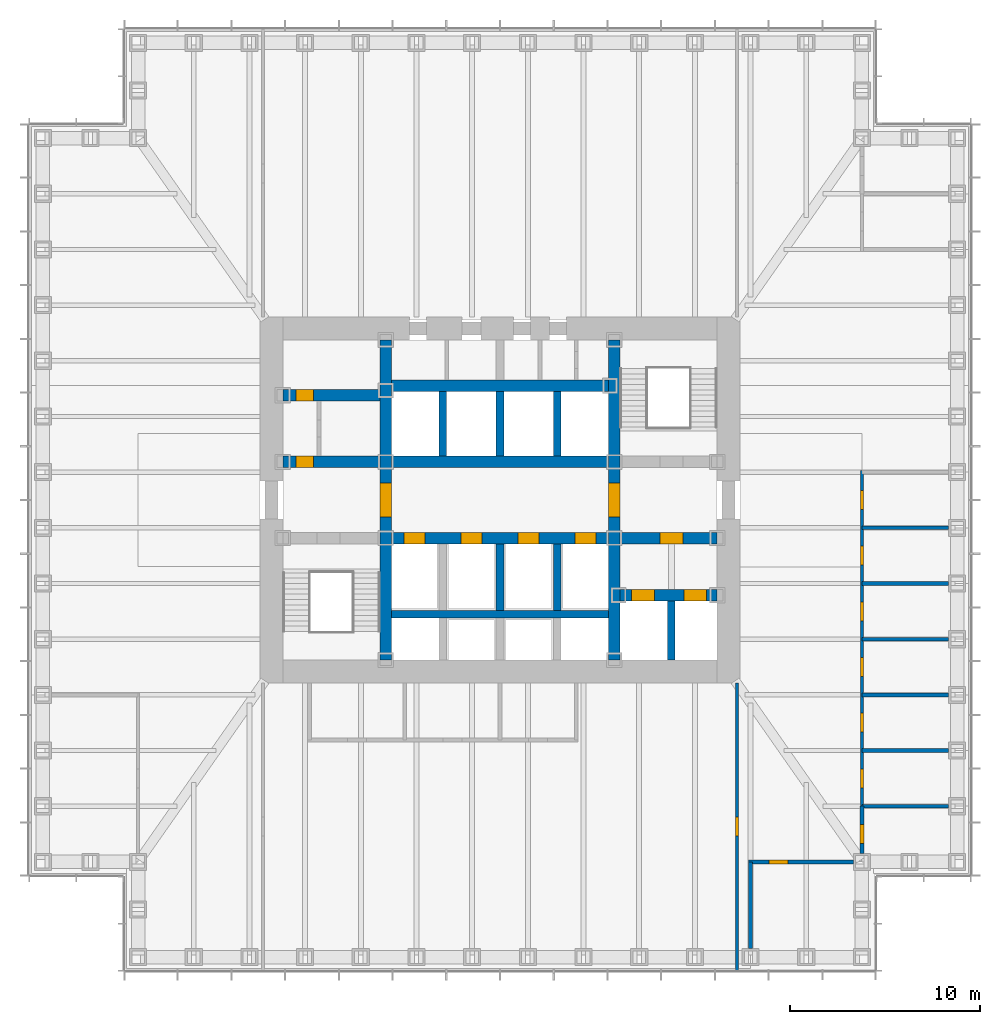
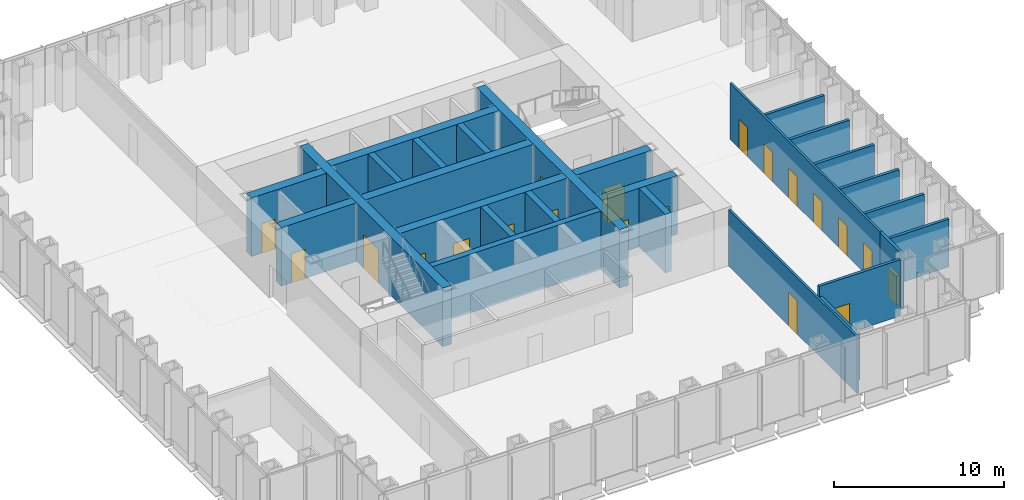
# One storey, part 9 of 16: 27 walls, 20 doors, 20 openings.
"""IFC4 building model written with IfcOpenShell, lengths in metres."""

from ifc_helpers import new_model, si_unit, direction, frame, frame_2d, origin, place, context, subcontext, project, spatial, rectangle, extrude, material, layer, layer_set, type_object, element, fill, save


model = new_model("IFC4")

# Units and contexts
model_context = context("Model", 3, precision=1e-05, world=origin(), true_north=direction((0.0, 1.0)))
body_context = subcontext(model_context, "Body", "Model", "MODEL_VIEW")
ifc_project = project(units=[si_unit("LENGTHUNIT", "METRE"), si_unit("AREAUNIT", "SQUARE_METRE"), si_unit("VOLUMEUNIT", "CUBIC_METRE"), si_unit("PLANEANGLEUNIT", "RADIAN"), si_unit("MASSUNIT", "GRAM", prefix="KILO")], contexts=[model_context])

# Site, building, storey
site_placement = place(None, origin())
site = spatial("IfcSite", under=ifc_project, at=site_placement, CompositionType="ELEMENT")
building_placement = place(site_placement, origin())
building = spatial("IfcBuilding", under=site, at=building_placement, Name="Daluyong Arena Tower", CompositionType="ELEMENT")
storey_placement = place(building_placement, frame((0.0, 0.0, 72.699951171875)))
storey = spatial("IfcBuildingStorey", under=building, at=storey_placement, Name="L15", CompositionType="ELEMENT", Elevation=72.699951171875)

# Wall, opening, door
ifc_material_1 = material(Name="Concrete fc' 60 MPa", Category="concrete")
ifc_layer_1 = layer(ifc_material_1, 0.60009765625)
ifc_layer_set_1 = layer_set([ifc_layer_1], Name="Concrete fc' 60 MPa")
wall_type_1 = type_object("IfcWallType", Name="Core inner wall 600", PredefinedType="SHEAR", material=ifc_layer_set_1)
wall_1_placement = place(storey_placement, frame((50.0, 71.60009765625, 0.0), z_axis=(0.0, 0.0, 1.0), x_axis=(0.0, 1.0, 0.0)))
wall_1 = element("IfcWall", 1, at=wall_1_placement, inside=storey, type_object=wall_type_1, Name="core inner wall at L15", PredefinedType="SHEAR", context=body_context, shape_type="SweptSolid", body=[
    extrude(rectangle(XDim=16.7998046875, YDim=0.60009765625, at=frame_2d((8.39990234375, 0.0))), origin(), (0.0, 0.0, 1.0), 4.199951171875),
])
opening_1_placement = place(wall_1_placement, frame((7.5, 0.0, 0.0)))
opening_1 = element("IfcOpeningElement", 2, at=opening_1_placement, cuts=wall_1, Name="Opening 15013", PredefinedType="OPENING", context=body_context, shape_type="SweptSolid", body=[
    extrude(rectangle(XDim=1.800048828125, YDim=2.39990234375, at=frame_2d((0.89990234375, 1.199951171875))), frame((0.0, 0.31005859375, 0.0), z_axis=(0.0, -1.0, 0.0), x_axis=(1.0, 0.0, 0.0)), (0.0, 0.0, 1.0), 0.6201171875),
])
ifc_material_2 = material(Name="Steel door, fire rated", Category="steel")
door_type_1 = type_object("IfcDoorType", Name="Lift lobby opening door 1800", OperationType="DOUBLE_DOOR_SINGLE_SWING", PredefinedType="DOOR", material=ifc_material_2)
door_1_placement = place(opening_1_placement, origin())
door_1 = element("IfcDoor", 3, at=door_1_placement, inside=storey, type_object=door_type_1, Name="lift lobby door west 15013", OperationType="DOUBLE_DOOR_SINGLE_SWING", OverallHeight=2.39990234375, OverallWidth=1.800048828125, PredefinedType="DOOR", context=body_context, shape_type="SweptSolid", body=[
    extrude(rectangle(XDim=1.800048828125, YDim=2.39990234375, at=frame_2d((0.89990234375, 1.199951171875))), frame((0.0, 0.2998046875, 0.0), z_axis=(0.0, -1.0, 0.0), x_axis=(1.0, 0.0, 0.0)), (0.0, 0.0, 1.0), 0.599609375),
])
fill(opening_1, door_1)

wall_2_placement = place(storey_placement, frame((62.0, 71.60009765625, 0.0), z_axis=(0.0, 0.0, 1.0), x_axis=(0.0, 1.0, 0.0)))
wall_2 = element("IfcWall", 4, at=wall_2_placement, inside=storey, type_object=wall_type_1, Name="core inner wall at L15", PredefinedType="SHEAR", context=body_context, shape_type="SweptSolid", body=[
    extrude(rectangle(XDim=16.7998046875, YDim=0.60009765625, at=frame_2d((8.39990234375, 0.0))), origin(), (0.0, 0.0, 1.0), 4.199951171875),
])
opening_2_placement = place(wall_2_placement, frame((7.5, 0.0, 0.0)))
opening_2 = element("IfcOpeningElement", 5, at=opening_2_placement, cuts=wall_2, Name="Opening 15014", PredefinedType="OPENING", context=body_context, shape_type="SweptSolid", body=[
    extrude(rectangle(XDim=1.800048828125, YDim=2.39990234375, at=frame_2d((0.89990234375, 1.199951171875))), frame((0.0, 0.31005859375, 0.0), z_axis=(0.0, -1.0, 0.0), x_axis=(1.0, 0.0, 0.0)), (0.0, 0.0, 1.0), 0.6201171875),
])
door_2_placement = place(opening_2_placement, origin())
door_2 = element("IfcDoor", 6, at=door_2_placement, inside=storey, type_object=door_type_1, Name="lift lobby door east 15014", OperationType="DOUBLE_DOOR_SINGLE_SWING", OverallHeight=2.39990234375, OverallWidth=1.800048828125, PredefinedType="DOOR", context=body_context, shape_type="SweptSolid", body=[
    extrude(rectangle(XDim=1.800048828125, YDim=2.39990234375, at=frame_2d((0.89990234375, 1.199951171875))), frame((0.0, 0.2998046875, 0.0), z_axis=(0.0, -1.0, 0.0), x_axis=(1.0, 0.0, 0.0)), (0.0, 0.0, 1.0), 0.599609375),
])
fill(opening_2, door_2)

wall_3_placement = place(storey_placement, frame((44.60009765625, 82.0, 0.0), z_axis=(0.0, 0.0, 1.0), x_axis=(1.0, 0.0, 0.0)))
wall_3 = element("IfcWall", 7, at=wall_3_placement, inside=storey, type_object=wall_type_1, Name="core inner wall at L15", PredefinedType="SHEAR", context=body_context, shape_type="SweptSolid", body=[
    extrude(rectangle(XDim=5.099853515625, YDim=0.60009765625, at=frame_2d((2.5498046875, 0.0))), origin(), (0.0, 0.0, 1.0), 4.199951171875),
])
opening_3_placement = place(wall_3_placement, frame((0.699951171875, 0.0, 0.0)))
opening_3 = element("IfcOpeningElement", 8, at=opening_3_placement, cuts=wall_3, Name="Opening 15001", PredefinedType="OPENING", context=body_context, shape_type="SweptSolid", body=[
    extrude(rectangle(XDim=0.89990234375, YDim=2.10009765625, at=frame_2d((0.449951171875, 1.050048828125))), frame((0.0, 0.31005859375, 0.0), z_axis=(0.0, -1.0, 0.0), x_axis=(1.0, 0.0, 0.0)), (0.0, 0.0, 1.0), 0.6201171875),
])
ifc_material_3 = material(Name="Steel door, fire rated", Category="steel")
door_type_2 = type_object("IfcDoorType", Name="Core room door 900", OperationType="SINGLE_SWING_LEFT", PredefinedType="DOOR", material=ifc_material_3)
door_3_placement = place(opening_3_placement, origin())
door_3 = element("IfcDoor", 9, at=door_3_placement, inside=storey, type_object=door_type_2, Name="toilet lobby door 15001", OperationType="SINGLE_SWING_LEFT", OverallHeight=2.10009765625, OverallWidth=0.89990234375, PredefinedType="DOOR", context=body_context, shape_type="SweptSolid", body=[
    extrude(rectangle(XDim=0.89990234375, YDim=2.10009765625, at=frame_2d((0.449951171875, 1.050048828125))), frame((0.0, 0.2998046875, 0.0), z_axis=(0.0, -1.0, 0.0), x_axis=(1.0, 0.0, 0.0)), (0.0, 0.0, 1.0), 0.599609375),
])
fill(opening_3, door_3)

wall_4_placement = place(storey_placement, frame((44.60009765625, 85.5, 0.0), z_axis=(0.0, 0.0, 1.0), x_axis=(1.0, 0.0, 0.0)))
wall_4 = element("IfcWall", 10, at=wall_4_placement, inside=storey, type_object=wall_type_1, Name="core inner wall at L15", PredefinedType="SHEAR", context=body_context, shape_type="SweptSolid", body=[
    extrude(rectangle(XDim=5.099853515625, YDim=0.60009765625, at=frame_2d((2.5498046875, 0.0))), origin(), (0.0, 0.0, 1.0), 4.199951171875),
])
opening_4_placement = place(wall_4_placement, frame((0.699951171875, 0.0, 0.0)))
opening_4 = element("IfcOpeningElement", 11, at=opening_4_placement, cuts=wall_4, Name="Opening 15003", PredefinedType="OPENING", context=body_context, shape_type="SweptSolid", body=[
    extrude(rectangle(XDim=0.89990234375, YDim=2.10009765625, at=frame_2d((0.449951171875, 1.050048828125))), frame((0.0, 0.31005859375, 0.0), z_axis=(0.0, -1.0, 0.0), x_axis=(1.0, 0.0, 0.0)), (0.0, 0.0, 1.0), 0.6201171875),
])
ifc_material_4 = material(Name="Timber door", Category="wood")
door_type_3 = type_object("IfcDoorType", Name="Toilet door 900", OperationType="SINGLE_SWING_RIGHT", PredefinedType="DOOR", material=ifc_material_4)
door_4_placement = place(opening_4_placement, origin())
door_4 = element("IfcDoor", 12, at=door_4_placement, inside=storey, type_object=door_type_3, Name="female toilet door 15003", OperationType="SINGLE_SWING_RIGHT", OverallHeight=2.10009765625, OverallWidth=0.89990234375, PredefinedType="DOOR", context=body_context, shape_type="SweptSolid", body=[
    extrude(rectangle(XDim=0.89990234375, YDim=2.10009765625, at=frame_2d((0.449951171875, 1.050048828125))), frame((0.0, 0.2998046875, 0.0), z_axis=(0.0, -1.0, 0.0), x_axis=(1.0, 0.0, 0.0)), (0.0, 0.0, 1.0), 0.599609375),
])
fill(opening_4, door_4)

# Wall, openings, doors
wall_5_placement = place(storey_placement, frame((62.300048828125, 75.0, 0.0), z_axis=(0.0, 0.0, 1.0), x_axis=(1.0, 0.0, 0.0)))
wall_5 = element("IfcWall", 13, at=wall_5_placement, inside=storey, type_object=wall_type_1, Name="core inner wall at L15", PredefinedType="SHEAR", context=body_context, shape_type="SweptSolid", body=[
    extrude(rectangle(XDim=5.099853515625, YDim=0.60009765625, at=frame_2d((2.5498046875, 0.0))), origin(), (0.0, 0.0, 1.0), 4.199951171875),
])
opening_5_placement = place(wall_5_placement, frame((0.60009765625, 0.0, 0.0)))
opening_5 = element("IfcOpeningElement", 14, at=opening_5_placement, cuts=wall_5, Name="Opening 15020", PredefinedType="OPENING", context=body_context, shape_type="SweptSolid", body=[
    extrude(rectangle(XDim=1.199951171875, YDim=2.199951171875, at=frame_2d((0.60009765625, 1.10009765625))), frame((0.0, 0.31005859375, 0.0), z_axis=(0.0, -1.0, 0.0), x_axis=(1.0, 0.0, 0.0)), (0.0, 0.0, 1.0), 0.6201171875),
])
opening_6_placement = place(wall_5_placement, frame((3.35009765625, 0.0, 0.0)))
opening_6 = element("IfcOpeningElement", 15, at=opening_6_placement, cuts=wall_5, Name="Opening 15021", PredefinedType="OPENING", context=body_context, shape_type="SweptSolid", body=[
    extrude(rectangle(XDim=1.199951171875, YDim=2.199951171875, at=frame_2d((0.60009765625, 1.10009765625))), frame((0.0, 0.31005859375, 0.0), z_axis=(0.0, -1.0, 0.0), x_axis=(1.0, 0.0, 0.0)), (0.0, 0.0, 1.0), 0.6201171875),
])
ifc_material_5 = material(Name="Steel door, fire rated", Category="steel")
door_type_4 = type_object("IfcDoorType", Name="Firefighting lift landing door 1200", OperationType="SLIDING_TO_LEFT", PredefinedType="DOOR", material=ifc_material_5)
door_5_placement = place(opening_5_placement, origin())
door_5 = element("IfcDoor", 16, at=door_5_placement, inside=storey, type_object=door_type_4, Name="firefighting lift landing door F1 15020", OperationType="SLIDING_TO_LEFT", OverallHeight=2.199951171875, OverallWidth=1.199951171875, PredefinedType="DOOR", context=body_context, shape_type="SweptSolid", body=[
    extrude(rectangle(XDim=1.199951171875, YDim=2.199951171875, at=frame_2d((0.60009765625, 1.10009765625))), frame((0.0, 0.2998046875, 0.0), z_axis=(0.0, -1.0, 0.0), x_axis=(1.0, 0.0, 0.0)), (0.0, 0.0, 1.0), 0.599609375),
])
fill(opening_5, door_5)
door_6_placement = place(opening_6_placement, origin())
door_6 = element("IfcDoor", 17, at=door_6_placement, inside=storey, type_object=door_type_4, Name="firefighting lift landing door F2 15021", OperationType="SLIDING_TO_LEFT", OverallHeight=2.199951171875, OverallWidth=1.199951171875, PredefinedType="DOOR", context=body_context, shape_type="SweptSolid", body=[
    extrude(rectangle(XDim=1.199951171875, YDim=2.199951171875, at=frame_2d((0.60009765625, 1.10009765625))), frame((0.0, 0.2998046875, 0.0), z_axis=(0.0, -1.0, 0.0), x_axis=(1.0, 0.0, 0.0)), (0.0, 0.0, 1.0), 0.599609375),
])
fill(opening_6, door_6)

# Wall, opening, door
wall_6_placement = place(storey_placement, frame((62.300048828125, 78.0, 0.0), z_axis=(0.0, 0.0, 1.0), x_axis=(1.0, 0.0, 0.0)))
wall_6 = element("IfcWall", 18, at=wall_6_placement, inside=storey, type_object=wall_type_1, Name="core inner wall at L15", PredefinedType="SHEAR", context=body_context, shape_type="SweptSolid", body=[
    extrude(rectangle(XDim=5.099853515625, YDim=0.60009765625, at=frame_2d((2.5498046875, 0.0))), origin(), (0.0, 0.0, 1.0), 4.199951171875),
])
opening_7_placement = place(wall_6_placement, frame((2.10009765625, 0.0, 0.0)))
opening_7 = element("IfcOpeningElement", 19, at=opening_7_placement, cuts=wall_6, Name="Opening 15015", PredefinedType="OPENING", context=body_context, shape_type="SweptSolid", body=[
    extrude(rectangle(XDim=1.199951171875, YDim=2.10009765625, at=frame_2d((0.60009765625, 1.050048828125))), frame((0.0, 0.31005859375, 0.0), z_axis=(0.0, -1.0, 0.0), x_axis=(1.0, 0.0, 0.0)), (0.0, 0.0, 1.0), 0.6201171875),
])
ifc_material_6 = material(Name="Steel door, fire rated", Category="steel")
door_type_5 = type_object("IfcDoorType", Name="Firefighting lobby door 1200", OperationType="SINGLE_SWING_RIGHT", PredefinedType="DOOR", material=ifc_material_6)
door_7_placement = place(opening_7_placement, origin())
door_7 = element("IfcDoor", 20, at=door_7_placement, inside=storey, type_object=door_type_5, Name="firefighting lobby door 15015", OperationType="SINGLE_SWING_RIGHT", OverallHeight=2.10009765625, OverallWidth=1.199951171875, PredefinedType="DOOR", context=body_context, shape_type="SweptSolid", body=[
    extrude(rectangle(XDim=1.199951171875, YDim=2.10009765625, at=frame_2d((0.60009765625, 1.050048828125))), frame((0.0, 0.2998046875, 0.0), z_axis=(0.0, -1.0, 0.0), x_axis=(1.0, 0.0, 0.0)), (0.0, 0.0, 1.0), 0.599609375),
])
fill(opening_7, door_7)

# Wall, openings, doors
wall_7_placement = place(storey_placement, frame((50.300048828125, 78.0, 0.0), z_axis=(0.0, 0.0, 1.0), x_axis=(1.0, 0.0, 0.0)))
wall_7 = element("IfcWall", 21, at=wall_7_placement, inside=storey, type_object=wall_type_1, Name="core inner wall at L15", PredefinedType="SHEAR", context=body_context, shape_type="SweptSolid", body=[
    extrude(rectangle(XDim=11.39990234375, YDim=0.60009765625, at=frame_2d((5.699951171875, 0.0))), origin(), (0.0, 0.0, 1.0), 4.199951171875),
])
opening_8_placement = place(wall_7_placement, frame((0.64990234375, 0.0, 0.0)))
opening_8 = element("IfcOpeningElement", 22, at=opening_8_placement, cuts=wall_7, Name="Opening 15016", PredefinedType="OPENING", context=body_context, shape_type="SweptSolid", body=[
    extrude(rectangle(XDim=1.10009765625, YDim=2.199951171875, at=frame_2d((0.550048828125, 1.10009765625))), frame((0.0, 0.31005859375, 0.0), z_axis=(0.0, -1.0, 0.0), x_axis=(1.0, 0.0, 0.0)), (0.0, 0.0, 1.0), 0.6201171875),
])
opening_9_placement = place(wall_7_placement, frame((3.64990234375, 0.0, 0.0)))
opening_9 = element("IfcOpeningElement", 23, at=opening_9_placement, cuts=wall_7, Name="Opening 15017", PredefinedType="OPENING", context=body_context, shape_type="SweptSolid", body=[
    extrude(rectangle(XDim=1.10009765625, YDim=2.199951171875, at=frame_2d((0.550048828125, 1.10009765625))), frame((0.0, 0.31005859375, 0.0), z_axis=(0.0, -1.0, 0.0), x_axis=(1.0, 0.0, 0.0)), (0.0, 0.0, 1.0), 0.6201171875),
])
opening_10_placement = place(wall_7_placement, frame((6.64990234375, 0.0, 0.0)))
opening_10 = element("IfcOpeningElement", 24, at=opening_10_placement, cuts=wall_7, Name="Opening 15018", PredefinedType="OPENING", context=body_context, shape_type="SweptSolid", body=[
    extrude(rectangle(XDim=1.10009765625, YDim=2.199951171875, at=frame_2d((0.550048828125, 1.10009765625))), frame((0.0, 0.31005859375, 0.0), z_axis=(0.0, -1.0, 0.0), x_axis=(1.0, 0.0, 0.0)), (0.0, 0.0, 1.0), 0.6201171875),
])
opening_11_placement = place(wall_7_placement, frame((9.64990234375, 0.0, 0.0)))
opening_11 = element("IfcOpeningElement", 25, at=opening_11_placement, cuts=wall_7, Name="Opening 15019", PredefinedType="OPENING", context=body_context, shape_type="SweptSolid", body=[
    extrude(rectangle(XDim=1.10009765625, YDim=2.199951171875, at=frame_2d((0.550048828125, 1.10009765625))), frame((0.0, 0.31005859375, 0.0), z_axis=(0.0, -1.0, 0.0), x_axis=(1.0, 0.0, 0.0)), (0.0, 0.0, 1.0), 0.6201171875),
])
ifc_material_7 = material(Name="Steel door, fire rated", Category="steel")
door_type_6 = type_object("IfcDoorType", Name="Lift landing door 1100", OperationType="SLIDING_TO_LEFT", PredefinedType="DOOR", material=ifc_material_7)
door_8_placement = place(opening_8_placement, origin())
door_8 = element("IfcDoor", 26, at=door_8_placement, inside=storey, type_object=door_type_6, Name="lift landing door A1 15016", OperationType="SLIDING_TO_LEFT", OverallHeight=2.199951171875, OverallWidth=1.10009765625, PredefinedType="DOOR", context=body_context, shape_type="SweptSolid", body=[
    extrude(rectangle(XDim=1.10009765625, YDim=2.199951171875, at=frame_2d((0.550048828125, 1.10009765625))), frame((0.0, 0.2998046875, 0.0), z_axis=(0.0, -1.0, 0.0), x_axis=(1.0, 0.0, 0.0)), (0.0, 0.0, 1.0), 0.599609375),
])
fill(opening_8, door_8)
door_9_placement = place(opening_9_placement, origin())
door_9 = element("IfcDoor", 27, at=door_9_placement, inside=storey, type_object=door_type_6, Name="lift landing door A2 15017", OperationType="SLIDING_TO_LEFT", OverallHeight=2.199951171875, OverallWidth=1.10009765625, PredefinedType="DOOR", context=body_context, shape_type="SweptSolid", body=[
    extrude(rectangle(XDim=1.10009765625, YDim=2.199951171875, at=frame_2d((0.550048828125, 1.10009765625))), frame((0.0, 0.2998046875, 0.0), z_axis=(0.0, -1.0, 0.0), x_axis=(1.0, 0.0, 0.0)), (0.0, 0.0, 1.0), 0.599609375),
])
fill(opening_9, door_9)
door_10_placement = place(opening_10_placement, origin())
door_10 = element("IfcDoor", 28, at=door_10_placement, inside=storey, type_object=door_type_6, Name="lift landing door A3 15018", OperationType="SLIDING_TO_LEFT", OverallHeight=2.199951171875, OverallWidth=1.10009765625, PredefinedType="DOOR", context=body_context, shape_type="SweptSolid", body=[
    extrude(rectangle(XDim=1.10009765625, YDim=2.199951171875, at=frame_2d((0.550048828125, 1.10009765625))), frame((0.0, 0.2998046875, 0.0), z_axis=(0.0, -1.0, 0.0), x_axis=(1.0, 0.0, 0.0)), (0.0, 0.0, 1.0), 0.599609375),
])
fill(opening_10, door_10)
door_11_placement = place(opening_11_placement, origin())
door_11 = element("IfcDoor", 29, at=door_11_placement, inside=storey, type_object=door_type_6, Name="lift landing door A4 15019", OperationType="SLIDING_TO_LEFT", OverallHeight=2.199951171875, OverallWidth=1.10009765625, PredefinedType="DOOR", context=body_context, shape_type="SweptSolid", body=[
    extrude(rectangle(XDim=1.10009765625, YDim=2.199951171875, at=frame_2d((0.550048828125, 1.10009765625))), frame((0.0, 0.2998046875, 0.0), z_axis=(0.0, -1.0, 0.0), x_axis=(1.0, 0.0, 0.0)), (0.0, 0.0, 1.0), 0.599609375),
])
fill(opening_11, door_11)

# Walls
for number, where, z_axis, x_axis, name in (
    (30, (50.300048828125, 82.0, 0.0), (0.0, 0.0, 1.0), (1.0, 0.0, 0.0), "core inner wall at L15"),
    (31, (50.300048828125, 86.0, 0.0), (0.0, 0.0, 1.0), (1.0, 0.0, 0.0), "core inner wall at L15"),
):
    element("IfcWall", number, at=place(storey_placement, frame(where, z_axis=z_axis, x_axis=x_axis)), inside=storey, type_object=wall_type_1, Name=name, PredefinedType="SHEAR", context=body_context, shape_type="SweptSolid", body=[
        extrude(rectangle(XDim=11.39990234375, YDim=0.60009765625, at=frame_2d((5.699951171875, 0.0))), origin(), (0.0, 0.0, 1.0), 4.199951171875),
    ])

# Wall, opening, door
ifc_material_8 = material(Name="Glazed aluminium partition", Category="aluminium")
ifc_layer_2 = layer(ifc_material_8, 0.14990234375)
ifc_layer_set_2 = layer_set([ifc_layer_2], Name="Glazed aluminium partition")
wall_type_2 = type_object("IfcWallType", Name="Glazed partition 150", PredefinedType="PARTITIONING", material=ifc_layer_set_2)
wall_8_placement = place(storey_placement, frame((68.449951171875, 55.31005859375, 0.0), z_axis=(0.0, 0.0, 1.0), x_axis=(0.0, 1.0, 0.0)))
wall_8 = element("IfcWall", 32, at=wall_8_placement, inside=storey, type_object=wall_type_2, Name="glazed partition at L15", PredefinedType="PARTITIONING", context=body_context, shape_type="SweptSolid", body=[
    extrude(rectangle(XDim=15.08984375, YDim=0.14990234375, at=frame_2d((7.544921875, 0.0))), origin(), (0.0, 0.0, 1.0), 4.0400390625),
])
opening_12_placement = place(wall_8_placement, frame((7.044921875, 0.0, 0.0)))
opening_12 = element("IfcOpeningElement", 33, at=opening_12_placement, cuts=wall_8, Name="Opening 15037", PredefinedType="OPENING", context=body_context, shape_type="SweptSolid", body=[
    extrude(rectangle(XDim=1.0, YDim=2.39990234375, at=frame_2d((0.5, 1.199951171875))), frame((0.0, 0.0849609375, 0.0), z_axis=(0.0, -1.0, 0.0), x_axis=(1.0, 0.0, 0.0)), (0.0, 0.0, 1.0), 0.169921875),
])
ifc_material_9 = material(Name="Glazed aluminium door", Category="aluminium")
door_type_7 = type_object("IfcDoorType", Name="Meeting room glazed door 1000", OperationType="SINGLE_SWING_RIGHT", PredefinedType="DOOR", material=ifc_material_9)
door_12_placement = place(opening_12_placement, origin())
door_12 = element("IfcDoor", 34, at=door_12_placement, inside=storey, type_object=door_type_7, Name="team area screen door 15037", OperationType="SINGLE_SWING_RIGHT", OverallHeight=2.39990234375, OverallWidth=1.0, PredefinedType="DOOR", context=body_context, shape_type="SweptSolid", body=[
    extrude(rectangle(XDim=1.0, YDim=2.39990234375, at=frame_2d((0.5, 1.199951171875))), frame((0.0, 0.07470703125, 0.0), z_axis=(0.0, -1.0, 0.0), x_axis=(1.0, 0.0, 0.0)), (0.0, 0.0, 1.0), 0.1494140625),
])
fill(opening_12, door_12)

# Wall, openings, doors
wall_9_placement = place(storey_placement, frame((75.0, 63.923095703125, 0.0), z_axis=(0.0, 0.0, 1.0), x_axis=(0.0, 1.0, 0.0)))
wall_9 = element("IfcWall", 35, at=wall_9_placement, inside=storey, type_object=wall_type_2, Name="glazed partition at L15", PredefinedType="PARTITIONING", context=body_context, shape_type="SweptSolid", body=[
    extrude(rectangle(XDim=17.638427734375, YDim=0.14990234375, at=frame_2d((8.8193359375, 0.0))), origin(), (0.0, 0.0, 1.0), 4.0400390625),
])
opening_13_placement = place(wall_9_placement, frame((0.96142578125, 0.0, 0.0)))
opening_13 = element("IfcOpeningElement", 36, at=opening_13_placement, cuts=wall_9, Name="Opening 15024", PredefinedType="OPENING", context=body_context, shape_type="SweptSolid", body=[
    extrude(rectangle(XDim=1.0, YDim=2.10009765625, at=frame_2d((0.5, 1.050048828125))), frame((0.0, 0.0849609375, 0.0), z_axis=(0.0, -1.0, 0.0), x_axis=(1.0, 0.0, 0.0)), (0.0, 0.0, 1.0), 0.169921875),
])
opening_14_placement = place(wall_9_placement, frame((3.884521484375, 0.0, 0.0)))
opening_14 = element("IfcOpeningElement", 37, at=opening_14_placement, cuts=wall_9, Name="Opening 15025", PredefinedType="OPENING", context=body_context, shape_type="SweptSolid", body=[
    extrude(rectangle(XDim=1.0, YDim=2.10009765625, at=frame_2d((0.5, 1.050048828125))), frame((0.0, 0.0849609375, 0.0), z_axis=(0.0, -1.0, 0.0), x_axis=(1.0, 0.0, 0.0)), (0.0, 0.0, 1.0), 0.169921875),
])
opening_15_placement = place(wall_9_placement, frame((6.8076171875, 0.0, 0.0)))
opening_15 = element("IfcOpeningElement", 38, at=opening_15_placement, cuts=wall_9, Name="Opening 15026", PredefinedType="OPENING", context=body_context, shape_type="SweptSolid", body=[
    extrude(rectangle(XDim=1.0, YDim=2.10009765625, at=frame_2d((0.5, 1.050048828125))), frame((0.0, 0.0849609375, 0.0), z_axis=(0.0, -1.0, 0.0), x_axis=(1.0, 0.0, 0.0)), (0.0, 0.0, 1.0), 0.169921875),
])
opening_16_placement = place(wall_9_placement, frame((9.730712890625, 0.0, 0.0)))
opening_16 = element("IfcOpeningElement", 39, at=opening_16_placement, cuts=wall_9, Name="Opening 15027", PredefinedType="OPENING", context=body_context, shape_type="SweptSolid", body=[
    extrude(rectangle(XDim=1.0, YDim=2.10009765625, at=frame_2d((0.5, 1.050048828125))), frame((0.0, 0.0849609375, 0.0), z_axis=(0.0, -1.0, 0.0), x_axis=(1.0, 0.0, 0.0)), (0.0, 0.0, 1.0), 0.169921875),
])
opening_17_placement = place(wall_9_placement, frame((12.65380859375, 0.0, 0.0)))
opening_17 = element("IfcOpeningElement", 40, at=opening_17_placement, cuts=wall_9, Name="Opening 15028", PredefinedType="OPENING", context=body_context, shape_type="SweptSolid", body=[
    extrude(rectangle(XDim=1.0, YDim=2.10009765625, at=frame_2d((0.5, 1.050048828125))), frame((0.0, 0.0849609375, 0.0), z_axis=(0.0, -1.0, 0.0), x_axis=(1.0, 0.0, 0.0)), (0.0, 0.0, 1.0), 0.169921875),
])
opening_18_placement = place(wall_9_placement, frame((15.576904296875, 0.0, 0.0)))
opening_18 = element("IfcOpeningElement", 41, at=opening_18_placement, cuts=wall_9, Name="Opening 15029", PredefinedType="OPENING", context=body_context, shape_type="SweptSolid", body=[
    extrude(rectangle(XDim=1.0, YDim=2.10009765625, at=frame_2d((0.5, 1.050048828125))), frame((0.0, 0.0849609375, 0.0), z_axis=(0.0, -1.0, 0.0), x_axis=(1.0, 0.0, 0.0)), (0.0, 0.0, 1.0), 0.169921875),
])
ifc_material_10 = material(Name="Timber door", Category="wood")
door_type_8 = type_object("IfcDoorType", Name="Room door 1000", OperationType="SINGLE_SWING_LEFT", PredefinedType="DOOR", material=ifc_material_10)
door_13_placement = place(opening_13_placement, origin())
door_13 = element("IfcDoor", 42, at=door_13_placement, inside=storey, type_object=door_type_8, Name="office door 15024", OperationType="SINGLE_SWING_LEFT", OverallHeight=2.10009765625, OverallWidth=1.0, PredefinedType="DOOR", context=body_context, shape_type="SweptSolid", body=[
    extrude(rectangle(XDim=1.0, YDim=2.10009765625, at=frame_2d((0.5, 1.050048828125))), frame((0.0, 0.07470703125, 0.0), z_axis=(0.0, -1.0, 0.0), x_axis=(1.0, 0.0, 0.0)), (0.0, 0.0, 1.0), 0.1494140625),
])
fill(opening_13, door_13)
door_14_placement = place(opening_14_placement, origin())
door_14 = element("IfcDoor", 43, at=door_14_placement, inside=storey, type_object=door_type_8, Name="office door 15025", OperationType="SINGLE_SWING_LEFT", OverallHeight=2.10009765625, OverallWidth=1.0, PredefinedType="DOOR", context=body_context, shape_type="SweptSolid", body=[
    extrude(rectangle(XDim=1.0, YDim=2.10009765625, at=frame_2d((0.5, 1.050048828125))), frame((0.0, 0.07470703125, 0.0), z_axis=(0.0, -1.0, 0.0), x_axis=(1.0, 0.0, 0.0)), (0.0, 0.0, 1.0), 0.1494140625),
])
fill(opening_14, door_14)
door_15_placement = place(opening_15_placement, origin())
door_15 = element("IfcDoor", 44, at=door_15_placement, inside=storey, type_object=door_type_8, Name="office door 15026", OperationType="SINGLE_SWING_LEFT", OverallHeight=2.10009765625, OverallWidth=1.0, PredefinedType="DOOR", context=body_context, shape_type="SweptSolid", body=[
    extrude(rectangle(XDim=1.0, YDim=2.10009765625, at=frame_2d((0.5, 1.050048828125))), frame((0.0, 0.07470703125, 0.0), z_axis=(0.0, -1.0, 0.0), x_axis=(1.0, 0.0, 0.0)), (0.0, 0.0, 1.0), 0.1494140625),
])
fill(opening_15, door_15)
door_16_placement = place(opening_16_placement, origin())
door_16 = element("IfcDoor", 45, at=door_16_placement, inside=storey, type_object=door_type_8, Name="office door 15027", OperationType="SINGLE_SWING_LEFT", OverallHeight=2.10009765625, OverallWidth=1.0, PredefinedType="DOOR", context=body_context, shape_type="SweptSolid", body=[
    extrude(rectangle(XDim=1.0, YDim=2.10009765625, at=frame_2d((0.5, 1.050048828125))), frame((0.0, 0.07470703125, 0.0), z_axis=(0.0, -1.0, 0.0), x_axis=(1.0, 0.0, 0.0)), (0.0, 0.0, 1.0), 0.1494140625),
])
fill(opening_16, door_16)
door_17_placement = place(opening_17_placement, origin())
door_17 = element("IfcDoor", 46, at=door_17_placement, inside=storey, type_object=door_type_8, Name="office door 15028", OperationType="SINGLE_SWING_LEFT", OverallHeight=2.10009765625, OverallWidth=1.0, PredefinedType="DOOR", context=body_context, shape_type="SweptSolid", body=[
    extrude(rectangle(XDim=1.0, YDim=2.10009765625, at=frame_2d((0.5, 1.050048828125))), frame((0.0, 0.07470703125, 0.0), z_axis=(0.0, -1.0, 0.0), x_axis=(1.0, 0.0, 0.0)), (0.0, 0.0, 1.0), 0.1494140625),
])
fill(opening_17, door_17)
door_18_placement = place(opening_18_placement, origin())
door_18 = element("IfcDoor", 47, at=door_18_placement, inside=storey, type_object=door_type_8, Name="office door 15029", OperationType="SINGLE_SWING_LEFT", OverallHeight=2.10009765625, OverallWidth=1.0, PredefinedType="DOOR", context=body_context, shape_type="SweptSolid", body=[
    extrude(rectangle(XDim=1.0, YDim=2.10009765625, at=frame_2d((0.5, 1.050048828125))), frame((0.0, 0.07470703125, 0.0), z_axis=(0.0, -1.0, 0.0), x_axis=(1.0, 0.0, 0.0)), (0.0, 0.0, 1.0), 0.1494140625),
])
fill(opening_18, door_18)

# Walls
ifc_material_11 = material(Name="Concrete fc' 45 MPa", Category="concrete")
ifc_layer_3 = layer(ifc_material_11, 0.39990234375)
ifc_layer_set_3 = layer_set([ifc_layer_3], Name="Concrete fc' 45 MPa")
wall_type_3 = type_object("IfcWallType", Name="Lift shaft wall 400", PredefinedType="SHEAR", material=ifc_layer_set_3)
wall_10_placement = place(storey_placement, frame((50.300048828125, 74.0, 0.0), z_axis=(0.0, 0.0, 1.0), x_axis=(1.0, 0.0, 0.0)))
element("IfcWall", 48, at=wall_10_placement, inside=storey, type_object=wall_type_3, Name="lift shaft wall at L15", PredefinedType="SHEAR", context=body_context, shape_type="SweptSolid", body=[
    extrude(rectangle(XDim=11.39990234375, YDim=0.39990234375, at=frame_2d((5.699951171875, 0.0))), origin(), (0.0, 0.0, 1.0), 4.199951171875),
])
wall_11_placement = place(storey_placement, frame((53.0, 82.300048828125, 0.0), z_axis=(0.0, 0.0, 1.0), x_axis=(0.0, 1.0, 0.0)))
element("IfcWall", 49, at=wall_11_placement, inside=storey, type_object=wall_type_3, Name="lift shaft wall at L15", PredefinedType="SHEAR", context=body_context, shape_type="SweptSolid", body=[
    extrude(rectangle(XDim=3.39990234375, YDim=0.39990234375, at=frame_2d((1.699951171875, 0.0))), origin(), (0.0, 0.0, 1.0), 4.199951171875),
])
wall_12_placement = place(storey_placement, frame((56.0, 74.199951171875, 0.0), z_axis=(0.0, 0.0, 1.0), x_axis=(0.0, 1.0, 0.0)))
element("IfcWall", 50, at=wall_12_placement, inside=storey, type_object=wall_type_3, Name="lift shaft wall at L15", PredefinedType="SHEAR", context=body_context, shape_type="SweptSolid", body=[
    extrude(rectangle(XDim=3.5, YDim=0.39990234375, at=frame_2d((1.75, 0.0))), origin(), (0.0, 0.0, 1.0), 4.199951171875),
])
wall_13_placement = place(storey_placement, frame((56.0, 82.300048828125, 0.0), z_axis=(0.0, 0.0, 1.0), x_axis=(0.0, 1.0, 0.0)))
element("IfcWall", 51, at=wall_13_placement, inside=storey, type_object=wall_type_3, Name="lift shaft wall at L15", PredefinedType="SHEAR", context=body_context, shape_type="SweptSolid", body=[
    extrude(rectangle(XDim=3.39990234375, YDim=0.39990234375, at=frame_2d((1.699951171875, 0.0))), origin(), (0.0, 0.0, 1.0), 4.199951171875),
])
wall_14_placement = place(storey_placement, frame((59.0, 74.199951171875, 0.0), z_axis=(0.0, 0.0, 1.0), x_axis=(0.0, 1.0, 0.0)))
element("IfcWall", 52, at=wall_14_placement, inside=storey, type_object=wall_type_3, Name="lift shaft wall at L15", PredefinedType="SHEAR", context=body_context, shape_type="SweptSolid", body=[
    extrude(rectangle(XDim=3.5, YDim=0.39990234375, at=frame_2d((1.75, 0.0))), origin(), (0.0, 0.0, 1.0), 4.199951171875),
])
wall_15_placement = place(storey_placement, frame((59.0, 82.300048828125, 0.0), z_axis=(0.0, 0.0, 1.0), x_axis=(0.0, 1.0, 0.0)))
element("IfcWall", 53, at=wall_15_placement, inside=storey, type_object=wall_type_3, Name="lift shaft wall at L15", PredefinedType="SHEAR", context=body_context, shape_type="SweptSolid", body=[
    extrude(rectangle(XDim=3.39990234375, YDim=0.39990234375, at=frame_2d((1.699951171875, 0.0))), origin(), (0.0, 0.0, 1.0), 4.199951171875),
])
wall_16_placement = place(storey_placement, frame((65.0, 71.60009765625, 0.0), z_axis=(0.0, 0.0, 1.0), x_axis=(0.0, 1.0, 0.0)))
element("IfcWall", 54, at=wall_16_placement, inside=storey, type_object=wall_type_3, Name="lift shaft wall at L15", PredefinedType="SHEAR", context=body_context, shape_type="SweptSolid", body=[
    extrude(rectangle(XDim=3.099853515625, YDim=0.39990234375, at=frame_2d((1.5498046875, 0.0))), origin(), (0.0, 0.0, 1.0), 4.199951171875),
])
ifc_material_12 = material(Name="Concrete block partition", Category="concrete")
ifc_layer_4 = layer(ifc_material_12, 0.199951171875)
ifc_layer_set_4 = layer_set([ifc_layer_4], Name="Concrete block partition")
wall_type_4 = type_object("IfcWallType", Name="Partition 200", PredefinedType="PARTITIONING", material=ifc_layer_set_4)
wall_17_placement = place(storey_placement, frame((69.15380859375, 56.449951171875, 0.0), z_axis=(0.0, 0.0, 1.0), x_axis=(0.0, 1.0, 0.0)))
element("IfcWall", 55, at=wall_17_placement, inside=storey, type_object=wall_type_4, Name="partition at L15", PredefinedType="PARTITIONING", context=body_context, shape_type="SweptSolid", body=[
    extrude(rectangle(XDim=4.550048828125, YDim=0.199951171875, at=frame_2d((2.27490234375, 0.0))), origin(), (0.0, 0.0, 1.0), 3.278076171875),
])
for number, where, z_axis, x_axis, name in (
    (56, (75.0, 63.923095703125, 0.0), (0.0, 0.0, 1.0), (1.0, 0.0, 0.0), "partition at L15"),
    (57, (75.0, 66.84619140625, 0.0), (0.0, 0.0, 1.0), (1.0, 0.0, 0.0), "partition at L15"),
    (58, (75.0, 69.769287109375, 0.0), (0.0, 0.0, 1.0), (1.0, 0.0, 0.0), "partition at L15"),
    (59, (75.0, 72.6923828125, 0.0), (0.0, 0.0, 1.0), (1.0, 0.0, 0.0), "partition at L15"),
    (60, (75.0, 75.615478515625, 0.0), (0.0, 0.0, 1.0), (1.0, 0.0, 0.0), "partition at L15"),
    (61, (75.0, 78.53857421875, 0.0), (0.0, 0.0, 1.0), (1.0, 0.0, 0.0), "partition at L15"),
):
    element("IfcWall", number, at=place(storey_placement, frame(where, z_axis=z_axis, x_axis=x_axis)), inside=storey, type_object=wall_type_4, Name=name, PredefinedType="PARTITIONING", context=body_context, shape_type="SweptSolid", body=[
        extrude(rectangle(XDim=4.550048828125, YDim=0.199951171875, at=frame_2d((2.27490234375, 0.0))), origin(), (0.0, 0.0, 1.0), 3.427978515625),
    ])

# Wall, opening, door
wall_18_placement = place(storey_placement, frame((69.053955078125, 61.0, 0.0), z_axis=(0.0, 0.0, 1.0), x_axis=(1.0, 0.0, 0.0)))
wall_18 = element("IfcWall", 62, at=wall_18_placement, inside=storey, type_object=wall_type_4, Name="partition at L15", PredefinedType="PARTITIONING", context=body_context, shape_type="SweptSolid", body=[
    extrude(rectangle(XDim=5.49609375, YDim=0.199951171875, at=frame_2d((2.748046875, 0.0))), origin(), (0.0, 0.0, 1.0), 4.0400390625),
])
opening_19_placement = place(wall_18_placement, frame((1.0615234375, 0.0, 0.0)))
opening_19 = element("IfcOpeningElement", 63, at=opening_19_placement, cuts=wall_18, Name="Opening 15022", PredefinedType="OPENING", context=body_context, shape_type="SweptSolid", body=[
    extrude(rectangle(XDim=1.0, YDim=2.10009765625, at=frame_2d((0.5, 1.050048828125))), frame((0.0, 0.10986328125, 0.0), z_axis=(0.0, -1.0, 0.0), x_axis=(1.0, 0.0, 0.0)), (0.0, 0.0, 1.0), 0.219970703125),
])
door_19_placement = place(opening_19_placement, origin())
door_19 = element("IfcDoor", 64, at=door_19_placement, inside=storey, type_object=door_type_8, Name="pantry door 15022", OperationType="SINGLE_SWING_LEFT", OverallHeight=2.10009765625, OverallWidth=1.0, PredefinedType="DOOR", context=body_context, shape_type="SweptSolid", body=[
    extrude(rectangle(XDim=1.0, YDim=2.10009765625, at=frame_2d((0.5, 1.050048828125))), frame((0.0, 0.099609375, 0.0), z_axis=(0.0, -1.0, 0.0), x_axis=(1.0, 0.0, 0.0)), (0.0, 0.0, 1.0), 0.199462890625),
])
fill(opening_19, door_19)

wall_19_placement = place(storey_placement, frame((75.0, 61.449951171875, 0.0), z_axis=(0.0, 0.0, 1.0), x_axis=(0.0, 1.0, 0.0)))
wall_19 = element("IfcWall", 65, at=wall_19_placement, inside=storey, type_object=wall_type_4, Name="partition at L15", PredefinedType="PARTITIONING", context=body_context, shape_type="SweptSolid", body=[
    extrude(rectangle(XDim=2.47314453125, YDim=0.199951171875, at=frame_2d((1.236572265625, 0.0))), origin(), (0.0, 0.0, 1.0), 4.0400390625),
])
opening_20_placement = place(wall_19_placement, frame((0.511474609375, 0.0, 0.0)))
opening_20 = element("IfcOpeningElement", 66, at=opening_20_placement, cuts=wall_19, Name="Opening 15023", PredefinedType="OPENING", context=body_context, shape_type="SweptSolid", body=[
    extrude(rectangle(XDim=1.0, YDim=2.10009765625, at=frame_2d((0.5, 1.050048828125))), frame((0.0, 0.10986328125, 0.0), z_axis=(0.0, -1.0, 0.0), x_axis=(1.0, 0.0, 0.0)), (0.0, 0.0, 1.0), 0.219970703125),
])
door_20_placement = place(opening_20_placement, origin())
door_20 = element("IfcDoor", 67, at=door_20_placement, inside=storey, type_object=door_type_8, Name="quiet room door 15023", OperationType="SINGLE_SWING_LEFT", OverallHeight=2.10009765625, OverallWidth=1.0, PredefinedType="DOOR", context=body_context, shape_type="SweptSolid", body=[
    extrude(rectangle(XDim=1.0, YDim=2.10009765625, at=frame_2d((0.5, 1.050048828125))), frame((0.0, 0.099609375, 0.0), z_axis=(0.0, -1.0, 0.0), x_axis=(1.0, 0.0, 0.0)), (0.0, 0.0, 1.0), 0.199462890625),
])
fill(opening_20, door_20)

save(model, "model.ifc")
